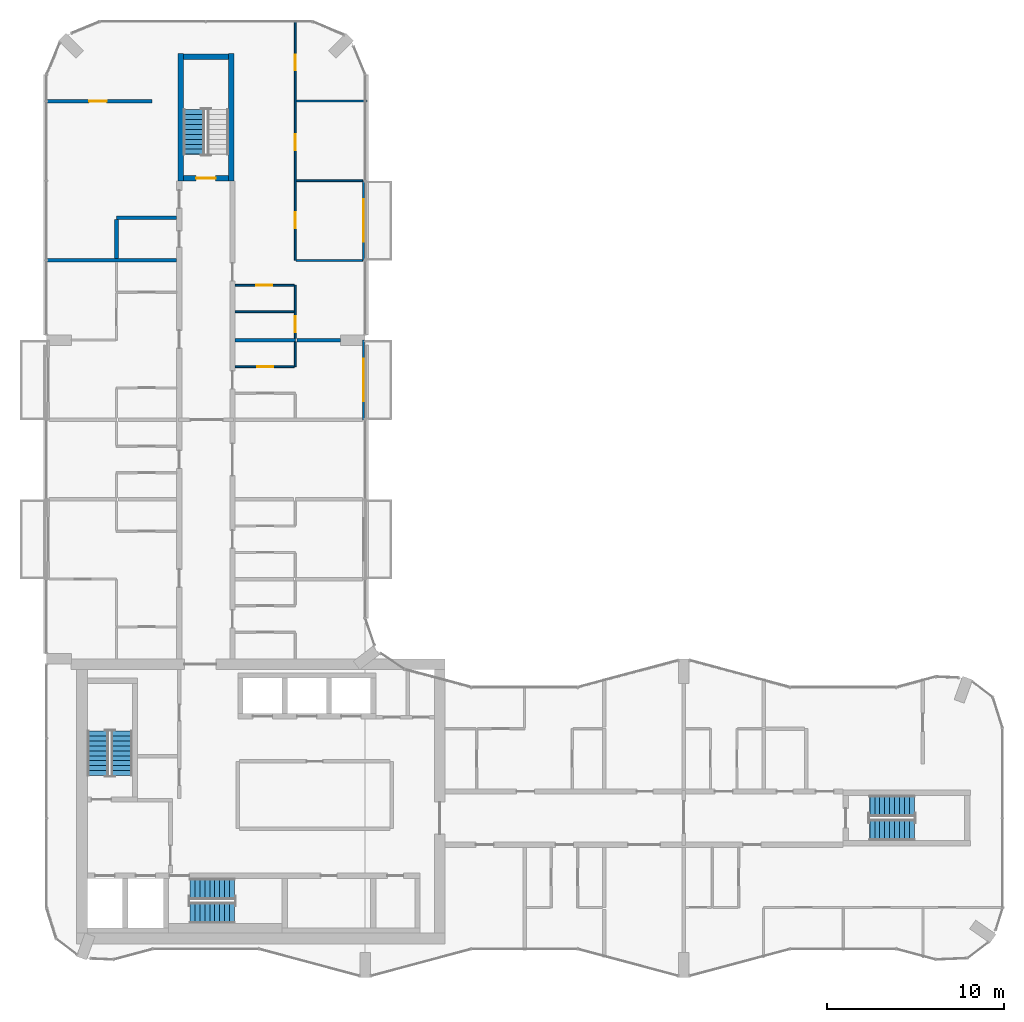
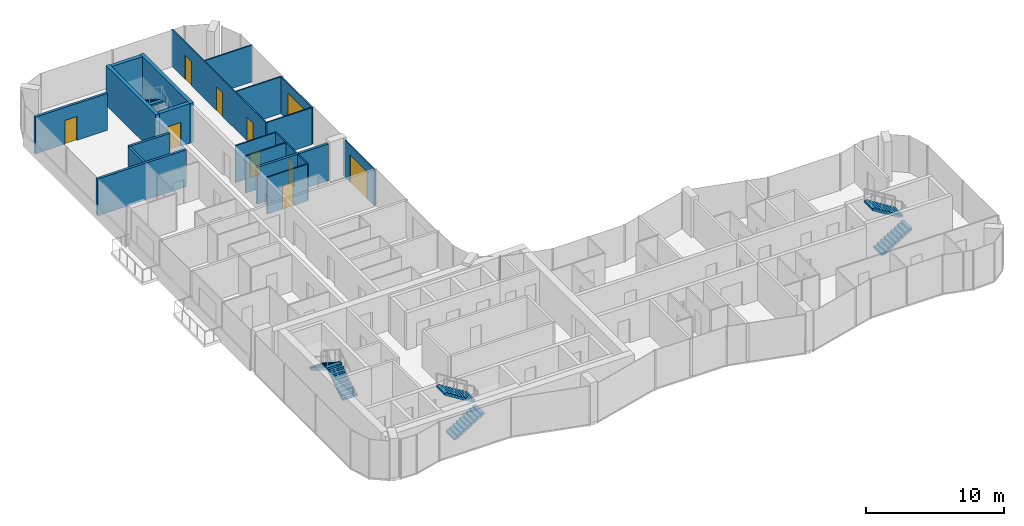
# One storey, part 13 of 17: 21 walls, 10 doors, 7 stair flights, 10 openings, 4 elements without a shape of their own.
"""IFC4 building model written with IfcOpenShell, lengths in metres."""

from ifc_helpers import new_model, si_unit, direction, frame, frame_2d, origin, place, context, subcontext, project, spatial, polyline, rectangle, outline, extrude, material, layer, layer_set, type_object, element, fill, aggregate, save


model = new_model("IFC4")

# Units and contexts
model_context = context("Model", 3, precision=1e-05, world=origin(), true_north=direction((0.0, 1.0)))
body_context = subcontext(model_context, "Body", "Model", "MODEL_VIEW")
ifc_project = project(units=[si_unit("LENGTHUNIT", "METRE"), si_unit("AREAUNIT", "SQUARE_METRE"), si_unit("VOLUMEUNIT", "CUBIC_METRE"), si_unit("PLANEANGLEUNIT", "RADIAN"), si_unit("MASSUNIT", "GRAM", prefix="KILO")], contexts=[model_context])

# Site, building, storey
site_placement = place(None, origin())
site = spatial("IfcSite", under=ifc_project, at=site_placement, CompositionType="ELEMENT")
building_placement = place(site_placement, origin())
building = spatial("IfcBuilding", under=site, at=building_placement, Name="Plateau Cross Towers", CompositionType="ELEMENT")
storey_placement = place(building_placement, frame((0.0, 0.0, 142.89990234375)))
storey = spatial("IfcBuildingStorey", under=building, at=storey_placement, Name="L36", CompositionType="ELEMENT", Elevation=142.89990234375)

# Wall, opening, door
ifc_material_1 = material(Name="Aluminium framed glazing", Category="aluminium")
ifc_layer_1 = layer(ifc_material_1, 0.10009765625)
ifc_layer_set_1 = layer_set([ifc_layer_1], Name="Aluminium framed glazing")
wall_type_1 = type_object("IfcWallType", Name="Balcony screen wall 100", PredefinedType="STANDARD", material=ifc_layer_set_1)
wall_1_placement = place(storey_placement, frame((17.89990234375, 36.0, 0.0), z_axis=(0.0, 0.0, 1.0), x_axis=(0.0, -1.0, 0.0)))
wall_1 = element("IfcWall", 1, at=wall_1_placement, inside=storey, type_object=wall_type_1, Name="Balcony screen wall A-BAL-L36-04", PredefinedType="STANDARD", context=body_context, shape_type="SweptSolid", body=[
    extrude(rectangle(XDim=4.5, YDim=0.10009765625, at=frame_2d((2.25, 0.0))), origin(), (0.0, 0.0, 1.0), 3.25),
])
opening_1_placement = place(wall_1_placement, frame((1.050048828125, 0.0, 0.0)))
opening_1 = element("IfcOpeningElement", 2, at=opening_1_placement, cuts=wall_1, Name="Opening D-B24", PredefinedType="OPENING", context=body_context, shape_type="SweptSolid", body=[
    extrude(rectangle(XDim=2.39990234375, YDim=2.39990234375, at=frame_2d((1.199951171875, 1.199951171875))), frame((0.0, 0.06005859375, 0.0), z_axis=(0.0, -1.0, 0.0), x_axis=(1.0, 0.0, 0.0)), (0.0, 0.0, 1.0), 0.1201171875),
])
ifc_material_2 = material(Name="Aluminium frame, double glazing", Category="aluminium")
door_type_1 = type_object("IfcDoorType", Name="Balcony sliding door 2400", OperationType="NOTDEFINED", PredefinedType="DOOR", material=ifc_material_2)
door_1_placement = place(opening_1_placement, origin())
door_1 = element("IfcDoor", 3, at=door_1_placement, inside=storey, type_object=door_type_1, Name="Balcony door A-BAL-L36-04", OperationType="SINGLE_SWING_LEFT", OverallHeight=2.39990234375, OverallWidth=2.39990234375, PredefinedType="DOOR", context=body_context, shape_type="SweptSolid", body=[
    extrude(rectangle(XDim=2.39990234375, YDim=2.39990234375, at=frame_2d((1.199951171875, 1.199951171875))), frame((0.0, 0.02490234375, 0.0), z_axis=(0.0, -1.0, 0.0), x_axis=(1.0, 0.0, 0.0)), (0.0, 0.0, 1.0), 0.050048828125),
])
fill(opening_1, door_1)

wall_2_placement = place(storey_placement, frame((17.89990234375, 45.0, 0.0), z_axis=(0.0, 0.0, 1.0), x_axis=(0.0, -1.0, 0.0)))
wall_2 = element("IfcWall", 4, at=wall_2_placement, inside=storey, type_object=wall_type_1, Name="Balcony screen wall A-BAL-L36-05", PredefinedType="STANDARD", context=body_context, shape_type="SweptSolid", body=[
    extrude(rectangle(XDim=4.5, YDim=0.10009765625, at=frame_2d((2.25, 0.0))), origin(), (0.0, 0.0, 1.0), 3.25),
])
opening_2_placement = place(wall_2_placement, frame((1.050048828125, 0.0, 0.0)))
opening_2 = element("IfcOpeningElement", 5, at=opening_2_placement, cuts=wall_2, Name="Opening D-B24", PredefinedType="OPENING", context=body_context, shape_type="SweptSolid", body=[
    extrude(rectangle(XDim=2.39990234375, YDim=2.39990234375, at=frame_2d((1.199951171875, 1.199951171875))), frame((0.0, 0.06005859375, 0.0), z_axis=(0.0, -1.0, 0.0), x_axis=(1.0, 0.0, 0.0)), (0.0, 0.0, 1.0), 0.1201171875),
])
door_2_placement = place(opening_2_placement, origin())
door_2 = element("IfcDoor", 6, at=door_2_placement, inside=storey, type_object=door_type_1, Name="Balcony door A-BAL-L36-05", OperationType="SINGLE_SWING_LEFT", OverallHeight=2.39990234375, OverallWidth=2.39990234375, PredefinedType="DOOR", context=body_context, shape_type="SweptSolid", body=[
    extrude(rectangle(XDim=2.39990234375, YDim=2.39990234375, at=frame_2d((1.199951171875, 1.199951171875))), frame((0.0, 0.02490234375, 0.0), z_axis=(0.0, -1.0, 0.0), x_axis=(1.0, 0.0, 0.0)), (0.0, 0.0, 1.0), 0.050048828125),
])
fill(opening_2, door_2)

ifc_material_3 = material(Name="Gypsum board on steel studs", Category="steel")
ifc_layer_2 = layer(ifc_material_3, 0.10009765625)
ifc_layer_set_2 = layer_set([ifc_layer_2], Name="Gypsum board on steel studs")
wall_type_2 = type_object("IfcWallType", Name="Flat partition 100", PredefinedType="PARTITIONING", material=ifc_layer_set_2)
wall_3_placement = place(storey_placement, frame((10.64990234375, 34.5, 0.0), z_axis=(0.0, 0.0, 1.0), x_axis=(1.0, 0.0, 0.0)))
wall_3 = element("IfcWall", 7, at=wall_3_placement, inside=storey, type_object=wall_type_2, Name="Partition wall", PredefinedType="PARTITIONING", context=body_context, shape_type="SweptSolid", body=[
    extrude(rectangle(XDim=3.35009765625, YDim=0.10009765625, at=frame_2d((1.675048828125, 0.0))), origin(), (0.0, 0.0, 1.0), 3.25),
])
opening_3_placement = place(wall_3_placement, frame((1.25, 0.0, 0.0)))
opening_3 = element("IfcOpeningElement", 8, at=opening_3_placement, cuts=wall_3, Name="Opening 36-49", PredefinedType="OPENING", context=body_context, shape_type="SweptSolid", body=[
    extrude(rectangle(XDim=0.89990234375, YDim=2.10009765625, at=frame_2d((0.449951171875, 1.050048828125))), frame((0.0, 0.06005859375, 0.0), z_axis=(0.0, -1.0, 0.0), x_axis=(1.0, 0.0, 0.0)), (0.0, 0.0, 1.0), 0.1201171875),
])
ifc_material_4 = material(Name="Timber leaf", Category="wood")
door_type_2 = type_object("IfcDoorType", Name="Flat room door 900", OperationType="NOTDEFINED", PredefinedType="DOOR", material=ifc_material_4)
door_3_placement = place(opening_3_placement, origin())
door_3 = element("IfcDoor", 9, at=door_3_placement, inside=storey, type_object=door_type_2, Name="Door 36-49", OperationType="SINGLE_SWING_RIGHT", OverallHeight=2.10009765625, OverallWidth=0.89990234375, PredefinedType="DOOR", context=body_context, shape_type="SweptSolid", body=[
    extrude(rectangle(XDim=0.89990234375, YDim=2.10009765625, at=frame_2d((0.449951171875, 1.050048828125))), frame((0.0, 0.02490234375, 0.0), z_axis=(0.0, -1.0, 0.0), x_axis=(1.0, 0.0, 0.0)), (0.0, 0.0, 1.0), 0.050048828125),
])
fill(opening_3, door_3)

# Wall
wall_4_placement = place(storey_placement, frame((14.0, 37.60009765625, 0.0), z_axis=(0.0, 0.0, 1.0), x_axis=(-1.0, 0.0, 0.0)))
element("IfcWall", 10, at=wall_4_placement, inside=storey, type_object=wall_type_2, Name="Partition wall", PredefinedType="PARTITIONING", context=body_context, shape_type="SweptSolid", body=[
    extrude(rectangle(XDim=3.35009765625, YDim=0.10009765625, at=frame_2d((1.675048828125, 0.0))), origin(), (0.0, 0.0, 1.0), 3.25),
])

# Wall, opening, door
wall_5_placement = place(storey_placement, frame((14.0, 39.10009765625, 0.0), z_axis=(0.0, 0.0, 1.0), x_axis=(-1.0, 0.0, 0.0)))
wall_5 = element("IfcWall", 11, at=wall_5_placement, inside=storey, type_object=wall_type_2, Name="Partition wall", PredefinedType="PARTITIONING", context=body_context, shape_type="SweptSolid", body=[
    extrude(rectangle(XDim=3.35009765625, YDim=0.10009765625, at=frame_2d((1.675048828125, 0.0))), origin(), (0.0, 0.0, 1.0), 3.25),
])
opening_4_placement = place(wall_5_placement, frame((1.25, 0.0, 0.0)))
opening_4 = element("IfcOpeningElement", 12, at=opening_4_placement, cuts=wall_5, Name="Opening 36-51", PredefinedType="OPENING", context=body_context, shape_type="SweptSolid", body=[
    extrude(rectangle(XDim=0.89990234375, YDim=2.10009765625, at=frame_2d((0.449951171875, 1.050048828125))), frame((0.0, 0.06005859375, 0.0), z_axis=(0.0, -1.0, 0.0), x_axis=(1.0, 0.0, 0.0)), (0.0, 0.0, 1.0), 0.1201171875),
])
door_4_placement = place(opening_4_placement, origin())
door_4 = element("IfcDoor", 13, at=door_4_placement, inside=storey, type_object=door_type_2, Name="Door 36-51", OperationType="SINGLE_SWING_RIGHT", OverallHeight=2.10009765625, OverallWidth=0.89990234375, PredefinedType="DOOR", context=body_context, shape_type="SweptSolid", body=[
    extrude(rectangle(XDim=0.89990234375, YDim=2.10009765625, at=frame_2d((0.449951171875, 1.050048828125))), frame((0.0, 0.02490234375, 0.0), z_axis=(0.0, -1.0, 0.0), x_axis=(1.0, 0.0, 0.0)), (0.0, 0.0, 1.0), 0.050048828125),
])
fill(opening_4, door_4)

# Walls
for number, where, z_axis, x_axis, name in (
    (14, (14.10009765625, 40.5, 0.0), (0.0, 0.0, 1.0), (1.0, 0.0, 0.0), "Partition wall"),
    (15, (17.85009765625, 45.0, 0.0), (0.0, 0.0, 1.0), (-1.0, 0.0, 0.0), "Partition wall"),
):
    element("IfcWall", number, at=place(storey_placement, frame(where, z_axis=z_axis, x_axis=x_axis)), inside=storey, type_object=wall_type_2, Name=name, PredefinedType="PARTITIONING", context=body_context, shape_type="SweptSolid", body=[
        extrude(rectangle(XDim=3.75, YDim=0.10009765625, at=frame_2d((1.875, 0.0))), origin(), (0.0, 0.0, 1.0), 3.25),
    ])
wall_6_placement = place(storey_placement, frame((18.080078125, 49.5, 0.0), z_axis=(0.0, 0.0, 1.0), x_axis=(-1.0, 0.0, 0.0)))
element("IfcWall", 16, at=wall_6_placement, inside=storey, type_object=wall_type_2, Name="Partition wall", PredefinedType="PARTITIONING", context=body_context, shape_type="SweptSolid", body=[
    extrude(rectangle(XDim=3.97998046875, YDim=0.10009765625, at=frame_2d((1.989990234375, 0.0))), origin(), (0.0, 0.0, 1.0), 3.25),
])

# Wall, openings, doors
wall_7_placement = place(storey_placement, frame((14.050048828125, 54.080078125, 0.0), z_axis=(0.0, 0.0, 1.0), x_axis=(0.0, -1.0, 0.0)))
wall_7 = element("IfcWall", 17, at=wall_7_placement, inside=storey, type_object=wall_type_2, Name="Partition wall", PredefinedType="PARTITIONING", context=body_context, shape_type="SweptSolid", body=[
    extrude(rectangle(XDim=13.580078125, YDim=0.10009765625, at=frame_2d((6.7900390625, 0.0))), origin(), (0.0, 0.0, 1.0), 3.25),
])
opening_5_placement = place(wall_7_placement, frame((10.85009765625, 0.0, 0.0)))
opening_5 = element("IfcOpeningElement", 18, at=opening_5_placement, cuts=wall_7, Name="Opening 36-52", PredefinedType="OPENING", context=body_context, shape_type="SweptSolid", body=[
    extrude(rectangle(XDim=0.89990234375, YDim=2.10009765625, at=frame_2d((0.449951171875, 1.050048828125))), frame((0.0, 0.06005859375, 0.0), z_axis=(0.0, -1.0, 0.0), x_axis=(1.0, 0.0, 0.0)), (0.0, 0.0, 1.0), 0.1201171875),
])
opening_6_placement = place(wall_7_placement, frame((6.449951171875, 0.0, 0.0)))
opening_6 = element("IfcOpeningElement", 19, at=opening_6_placement, cuts=wall_7, Name="Opening 36-53", PredefinedType="OPENING", context=body_context, shape_type="SweptSolid", body=[
    extrude(rectangle(XDim=0.89990234375, YDim=2.10009765625, at=frame_2d((0.449951171875, 1.050048828125))), frame((0.0, 0.06005859375, 0.0), z_axis=(0.0, -1.0, 0.0), x_axis=(1.0, 0.0, 0.0)), (0.0, 0.0, 1.0), 0.1201171875),
])
opening_7_placement = place(wall_7_placement, frame((1.949951171875, 0.0, 0.0)))
opening_7 = element("IfcOpeningElement", 20, at=opening_7_placement, cuts=wall_7, Name="Opening 36-54", PredefinedType="OPENING", context=body_context, shape_type="SweptSolid", body=[
    extrude(rectangle(XDim=0.89990234375, YDim=2.10009765625, at=frame_2d((0.449951171875, 1.050048828125))), frame((0.0, 0.06005859375, 0.0), z_axis=(0.0, -1.0, 0.0), x_axis=(1.0, 0.0, 0.0)), (0.0, 0.0, 1.0), 0.1201171875),
])
door_5_placement = place(opening_5_placement, origin())
door_5 = element("IfcDoor", 21, at=door_5_placement, inside=storey, type_object=door_type_2, Name="Door 36-52", OperationType="SINGLE_SWING_RIGHT", OverallHeight=2.10009765625, OverallWidth=0.89990234375, PredefinedType="DOOR", context=body_context, shape_type="SweptSolid", body=[
    extrude(rectangle(XDim=0.89990234375, YDim=2.10009765625, at=frame_2d((0.449951171875, 1.050048828125))), frame((0.0, 0.02490234375, 0.0), z_axis=(0.0, -1.0, 0.0), x_axis=(1.0, 0.0, 0.0)), (0.0, 0.0, 1.0), 0.050048828125),
])
fill(opening_5, door_5)
door_6_placement = place(opening_6_placement, origin())
door_6 = element("IfcDoor", 22, at=door_6_placement, inside=storey, type_object=door_type_2, Name="Door 36-53", OperationType="SINGLE_SWING_RIGHT", OverallHeight=2.10009765625, OverallWidth=0.89990234375, PredefinedType="DOOR", context=body_context, shape_type="SweptSolid", body=[
    extrude(rectangle(XDim=0.89990234375, YDim=2.10009765625, at=frame_2d((0.449951171875, 1.050048828125))), frame((0.0, 0.02490234375, 0.0), z_axis=(0.0, -1.0, 0.0), x_axis=(1.0, 0.0, 0.0)), (0.0, 0.0, 1.0), 0.050048828125),
])
fill(opening_6, door_6)
door_7_placement = place(opening_7_placement, origin())
door_7 = element("IfcDoor", 23, at=door_7_placement, inside=storey, type_object=door_type_2, Name="Door 36-54", OperationType="SINGLE_SWING_LEFT", OverallHeight=2.10009765625, OverallWidth=0.89990234375, PredefinedType="DOOR", context=body_context, shape_type="SweptSolid", body=[
    extrude(rectangle(XDim=0.89990234375, YDim=2.10009765625, at=frame_2d((0.449951171875, 1.050048828125))), frame((0.0, 0.02490234375, 0.0), z_axis=(0.0, -1.0, 0.0), x_axis=(1.0, 0.0, 0.0)), (0.0, 0.0, 1.0), 0.050048828125),
])
fill(opening_7, door_7)

# Wall
wall_8_placement = place(storey_placement, frame((14.050048828125, 34.5, 0.0), z_axis=(0.0, 0.0, 1.0), x_axis=(0.0, 1.0, 0.0)))
element("IfcWall", 24, at=wall_8_placement, inside=storey, type_object=wall_type_2, Name="Partition wall", PredefinedType="PARTITIONING", context=body_context, shape_type="SweptSolid", body=[
    extrude(rectangle(XDim=1.39990234375, YDim=0.10009765625, at=frame_2d((0.699951171875, 0.0))), origin(), (0.0, 0.0, 1.0), 3.25),
])

# Wall, opening, door
wall_9_placement = place(storey_placement, frame((14.050048828125, 36.10009765625, 0.0), z_axis=(0.0, 0.0, 1.0), x_axis=(0.0, 1.0, 0.0)))
wall_9 = element("IfcWall", 25, at=wall_9_placement, inside=storey, type_object=wall_type_2, Name="Partition wall", PredefinedType="PARTITIONING", context=body_context, shape_type="SweptSolid", body=[
    extrude(rectangle(XDim=3.0, YDim=0.10009765625, at=frame_2d((1.5, 0.0))), origin(), (0.0, 0.0, 1.0), 3.25),
])
opening_8_placement = place(wall_9_placement, frame((0.35009765625, 0.0, 0.0)))
opening_8 = element("IfcOpeningElement", 26, at=opening_8_placement, cuts=wall_9, Name="Opening 36-50", PredefinedType="OPENING", context=body_context, shape_type="SweptSolid", body=[
    extrude(rectangle(XDim=0.89990234375, YDim=2.10009765625, at=frame_2d((0.449951171875, 1.050048828125))), frame((0.0, 0.06005859375, 0.0), z_axis=(0.0, -1.0, 0.0), x_axis=(1.0, 0.0, 0.0)), (0.0, 0.0, 1.0), 0.1201171875),
])
door_8_placement = place(opening_8_placement, origin())
door_8 = element("IfcDoor", 27, at=door_8_placement, inside=storey, type_object=door_type_2, Name="Door 36-50", OperationType="SINGLE_SWING_LEFT", OverallHeight=2.10009765625, OverallWidth=0.89990234375, PredefinedType="DOOR", context=body_context, shape_type="SweptSolid", body=[
    extrude(rectangle(XDim=0.89990234375, YDim=2.10009765625, at=frame_2d((0.449951171875, 1.050048828125))), frame((0.0, 0.02490234375, 0.0), z_axis=(0.0, -1.0, 0.0), x_axis=(1.0, 0.0, 0.0)), (0.0, 0.0, 1.0), 0.050048828125),
])
fill(opening_8, door_8)

# Walls
ifc_material_5 = material(Name="Gypsum board on steel studs, two layers each side", Category="steel")
ifc_layer_3 = layer(ifc_material_5, 0.199951171875)
ifc_layer_set_3 = layer_set([ifc_layer_3], Name="Gypsum board on steel studs, two layers each side")
wall_type_3 = type_object("IfcWallType", Name="Flat party wall 200", PredefinedType="PARTITIONING", material=ifc_layer_set_3)
wall_10_placement = place(storey_placement, frame((14.050048828125, 36.0, 0.0), z_axis=(0.0, 0.0, 1.0), x_axis=(-1.0, 0.0, 0.0)))
element("IfcWall", 28, at=wall_10_placement, inside=storey, type_object=wall_type_3, Name="Party wall", PredefinedType="PARTITIONING", context=body_context, shape_type="SweptSolid", body=[
    extrude(rectangle(XDim=3.400146484375, YDim=0.199951171875, at=frame_2d((1.7001953125, 0.0))), origin(), (0.0, 0.0, 1.0), 3.25),
])
wall_11_placement = place(storey_placement, frame((14.14990234375, 36.0, 0.0), z_axis=(0.0, 0.0, 1.0), x_axis=(1.0, 0.0, 0.0)))
element("IfcWall", 29, at=wall_11_placement, inside=storey, type_object=wall_type_3, Name="Party wall", PredefinedType="PARTITIONING", context=body_context, shape_type="SweptSolid", body=[
    extrude(rectangle(XDim=2.4501953125, YDim=0.199951171875, at=frame_2d((1.22509765625, 0.0))), origin(), (0.0, 0.0, 1.0), 3.25),
])
wall_12_placement = place(storey_placement, frame((7.35009765625, 40.5, 0.0), z_axis=(0.0, 0.0, 1.0), x_axis=(-1.0, 0.0, 0.0)))
element("IfcWall", 30, at=wall_12_placement, inside=storey, type_object=wall_type_3, Name="Party wall", PredefinedType="PARTITIONING", context=body_context, shape_type="SweptSolid", body=[
    extrude(rectangle(XDim=7.43017578125, YDim=0.199951171875, at=frame_2d((3.715087890625, 0.0))), origin(), (0.0, 0.0, 1.0), 3.25),
])
wall_13_placement = place(storey_placement, frame((7.35009765625, 42.89990234375, 0.0), z_axis=(0.0, 0.0, 1.0), x_axis=(-1.0, 0.0, 0.0)))
element("IfcWall", 31, at=wall_13_placement, inside=storey, type_object=wall_type_3, Name="Party wall", PredefinedType="PARTITIONING", context=body_context, shape_type="SweptSolid", body=[
    extrude(rectangle(XDim=3.400146484375, YDim=0.199951171875, at=frame_2d((1.7001953125, 0.0))), origin(), (0.0, 0.0, 1.0), 3.25),
])

# Wall, opening, door
wall_14_placement = place(storey_placement, frame((5.949951171875, 49.5, 0.0), z_axis=(0.0, 0.0, 1.0), x_axis=(-1.0, 0.0, 0.0)))
wall_14 = element("IfcWall", 32, at=wall_14_placement, inside=storey, type_object=wall_type_3, Name="Party wall", PredefinedType="PARTITIONING", context=body_context, shape_type="SweptSolid", body=[
    extrude(rectangle(XDim=6.030029296875, YDim=0.199951171875, at=frame_2d((3.01513671875, 0.0))), origin(), (0.0, 0.0, 1.0), 3.25),
])
opening_9_placement = place(wall_14_placement, frame((2.550048828125, 0.0, 0.0)))
opening_9 = element("IfcOpeningElement", 33, at=opening_9_placement, cuts=wall_14, Name="Opening 36-23", PredefinedType="OPENING", context=body_context, shape_type="SweptSolid", body=[
    extrude(rectangle(XDim=1.0, YDim=2.10009765625, at=frame_2d((0.5, 1.050048828125))), frame((0.0, 0.10986328125, 0.0), z_axis=(0.0, -1.0, 0.0), x_axis=(1.0, 0.0, 0.0)), (0.0, 0.0, 1.0), 0.219970703125),
])
ifc_material_6 = material(Name="Timber, fire-resisting leaf", Category="wood")
door_type_3 = type_object("IfcDoorType", Name="Flat entrance door 1000", OperationType="NOTDEFINED", PredefinedType="DOOR", material=ifc_material_6)
door_9_placement = place(opening_9_placement, origin())
door_9 = element("IfcDoor", 34, at=door_9_placement, inside=storey, type_object=door_type_3, Name="Door 36-23", OperationType="SINGLE_SWING_RIGHT", OverallHeight=2.10009765625, OverallWidth=1.0, PredefinedType="DOOR", context=body_context, shape_type="SweptSolid", body=[
    extrude(rectangle(XDim=1.0, YDim=2.10009765625, at=frame_2d((0.5, 1.050048828125))), frame((0.0, 0.02490234375, 0.0), z_axis=(0.0, -1.0, 0.0), x_axis=(1.0, 0.0, 0.0)), (0.0, 0.0, 1.0), 0.050048828125),
])
fill(opening_9, door_9)

# Wall
wall_15_placement = place(storey_placement, frame((3.949951171875, 42.800048828125, 0.0), z_axis=(0.0, 0.0, 1.0), x_axis=(0.0, -1.0, 0.0)))
element("IfcWall", 35, at=wall_15_placement, inside=storey, type_object=wall_type_3, Name="Party wall", PredefinedType="PARTITIONING", context=body_context, shape_type="SweptSolid", body=[
    extrude(rectangle(XDim=2.199951171875, YDim=0.199951171875, at=frame_2d((1.10009765625, 0.0))), origin(), (0.0, 0.0, 1.0), 3.25),
])

# Wall, opening, door
ifc_material_7 = material(Name="Concrete C60/75", Category="concrete")
ifc_layer_4 = layer(ifc_material_7, 0.300048828125)
ifc_layer_set_4 = layer_set([ifc_layer_4], Name="Concrete C60/75")
wall_type_4 = type_object("IfcWallType", Name="Stair tower wall 300", PredefinedType="SHEAR", material=ifc_layer_set_4)
wall_16_placement = place(storey_placement, frame((7.72509765625, 45.14990234375, 0.0), z_axis=(0.0, 0.0, 1.0), x_axis=(1.0, 0.0, 0.0)))
wall_16 = element("IfcWall", 36, at=wall_16_placement, inside=storey, type_object=wall_type_4, Name="A-end-N-S@L36", PredefinedType="SHEAR", context=body_context, shape_type="SweptSolid", body=[
    extrude(rectangle(XDim=2.5498046875, YDim=0.300048828125, at=frame_2d((1.27490234375, 0.0))), origin(), (0.0, 0.0, 1.0), 3.5),
])
opening_10_placement = place(wall_16_placement, frame((0.72509765625, 0.0, 0.0)))
opening_10 = element("IfcOpeningElement", 37, at=opening_10_placement, cuts=wall_16, Name="Opening SD", PredefinedType="OPENING", context=body_context, shape_type="SweptSolid", body=[
    extrude(rectangle(XDim=1.10009765625, YDim=2.10009765625, at=frame_2d((0.550048828125, 1.050048828125))), frame((0.0, 0.159912109375, 0.0), z_axis=(0.0, -1.0, 0.0), x_axis=(1.0, 0.0, 0.0)), (0.0, 0.0, 1.0), 0.320068359375),
])
ifc_material_8 = material(Name="Steel, fire-resisting leaf", Category="steel")
door_type_4 = type_object("IfcDoorType", Name="Stair door 1100", OperationType="NOTDEFINED", PredefinedType="DOOR", material=ifc_material_8)
door_10_placement = place(opening_10_placement, origin())
door_10 = element("IfcDoor", 38, at=door_10_placement, inside=storey, type_object=door_type_4, Name="Stair door SD", OperationType="SINGLE_SWING_LEFT", OverallHeight=2.10009765625, OverallWidth=1.10009765625, PredefinedType="DOOR", context=body_context, shape_type="SweptSolid", body=[
    extrude(rectangle(XDim=1.10009765625, YDim=2.10009765625, at=frame_2d((0.550048828125, 1.050048828125))), frame((0.0, 0.02490234375, 0.0), z_axis=(0.0, -1.0, 0.0), x_axis=(1.0, 0.0, 0.0)), (0.0, 0.0, 1.0), 0.050048828125),
])
fill(opening_10, door_10)

# Walls
wall_17_placement = place(storey_placement, frame((7.72509765625, 52.0, 0.0), z_axis=(0.0, 0.0, 1.0), x_axis=(1.0, 0.0, 0.0)))
element("IfcWall", 39, at=wall_17_placement, inside=storey, type_object=wall_type_4, Name="A-end-N-N@L36", PredefinedType="SHEAR", context=body_context, shape_type="SweptSolid", body=[
    extrude(rectangle(XDim=2.5498046875, YDim=0.300048828125, at=frame_2d((1.27490234375, 0.0))), origin(), (0.0, 0.0, 1.0), 3.5),
])
for number, where, z_axis, x_axis, name in (
    (40, (7.574951171875, 45.0, 0.0), (0.0, 0.0, 1.0), (0.0, 1.0, 0.0), "A-end-N-W@L36"),
    (41, (10.425048828125, 45.0, 0.0), (0.0, 0.0, 1.0), (0.0, 1.0, 0.0), "A-end-N-E@L36"),
):
    element("IfcWall", number, at=place(storey_placement, frame(where, z_axis=z_axis, x_axis=x_axis)), inside=storey, type_object=wall_type_4, Name=name, PredefinedType="SHEAR", context=body_context, shape_type="SweptSolid", body=[
        extrude(rectangle(XDim=7.199951171875, YDim=0.300048828125, at=frame_2d((3.60009765625, 0.0))), origin(), (0.0, 0.0, 1.0), 3.5),
    ])

# Stair, stair flights
ifc_material_9 = material(Name="Concrete C40/50", Category="concrete")
stair_type = type_object("IfcStairType", Name="ST-TWR", PredefinedType="HALF_TURN_STAIR", material=ifc_material_9)
stair_1_placement = place(storey_placement, origin())
stair_1 = element("IfcStair", 42, at=stair_1_placement, inside=storey, type_object=stair_type, Name="L36 Protected Exit Stair ST-1", PredefinedType="HALF_TURN_STAIR")
stair_flight_type = type_object("IfcStairFlightType", Name="SFL-RC", PredefinedType="STRAIGHT", material=ifc_material_9)
stair_flight_1_placement = place(storey_placement, frame((4.25, 11.39990234375, 0.0), z_axis=(0.0, 0.0, 1.0), x_axis=(0.0, 1.0, 0.0)))
stair_flight_1 = element("IfcStairFlight", 43, at=stair_flight_1_placement, type_object=stair_flight_type, Name="ST-1 flight 1", NumberOfRisers=10, NumberOfTreads=9, PredefinedType="STRAIGHT", RiserHeight=0.175, TreadLength=0.28, context=body_context, shape_type="SweptSolid", body=[
    extrude(outline(polyline([(-0.0048828125, -0.010009765625), (-0.0048828125, 0.0), (0.0, 0.0), (0.0, 0.175048828125), (0.280029296875, 0.175048828125), (0.280029296875, 0.35009765625), (0.56005859375, 0.35009765625), (0.56005859375, 0.52490234375), (0.840087890625, 0.52490234375), (0.840087890625, 0.699951171875), (1.1201171875, 0.699951171875), (1.1201171875, 0.875), (1.39990234375, 0.875), (1.39990234375, 1.050048828125), (1.679931640625, 1.050048828125), (1.679931640625, 1.22509765625), (1.9599609375, 1.22509765625), (1.9599609375, 1.39990234375), (2.239990234375, 1.39990234375), (2.239990234375, 1.574951171875), (2.52001953125, 1.574951171875), (2.52490234375, 1.56494140625), (2.52490234375, 1.398193359375), (2.52001953125, 1.398193359375), (0.28271484375, 0.0), (0.02001953125, 0.0), (0.02001953125, -0.010009765625), (-0.0048828125, -0.010009765625)])), frame((0.0, 0.60009765625, 0.0), z_axis=(0.0, -1.0, 0.0), x_axis=(1.0, 0.0, 0.0)), (0.0, 0.0, 1.0), 1.199951171875),
])
stair_flight_2_placement = place(storey_placement, frame((2.89990234375, 13.919921875, 1.75), z_axis=(0.0, 0.0, 1.0), x_axis=(0.0, -1.0, 0.0)))
stair_flight_2 = element("IfcStairFlight", 44, at=stair_flight_2_placement, type_object=stair_flight_type, Name="ST-1 flight 2", NumberOfRisers=10, NumberOfTreads=9, PredefinedType="STRAIGHT", RiserHeight=0.175, TreadLength=0.28, context=body_context, shape_type="SweptSolid", body=[
    extrude(outline(polyline([(-0.0048828125, -0.010009765625), (-0.0048828125, 0.0), (0.0, 0.0), (0.0, 0.175048828125), (0.280029296875, 0.175048828125), (0.280029296875, 0.35009765625), (0.56005859375, 0.35009765625), (0.56005859375, 0.52490234375), (0.840087890625, 0.52490234375), (0.840087890625, 0.699951171875), (1.1201171875, 0.699951171875), (1.1201171875, 0.875), (1.39990234375, 0.875), (1.39990234375, 1.050048828125), (1.679931640625, 1.050048828125), (1.679931640625, 1.22509765625), (1.9599609375, 1.22509765625), (1.9599609375, 1.39990234375), (2.239990234375, 1.39990234375), (2.239990234375, 1.574951171875), (2.52001953125, 1.574951171875), (2.52490234375, 1.56494140625), (2.52490234375, 1.398193359375), (2.52001953125, 1.398193359375), (0.28271484375, 0.0), (0.02001953125, 0.0), (0.02001953125, -0.010009765625), (-0.0048828125, -0.010009765625)])), frame((0.0, 0.60009765625, 0.0), z_axis=(0.0, -1.0, 0.0), x_axis=(1.0, 0.0, 0.0)), (0.0, 0.0, 1.0), 1.199951171875),
])
aggregate(stair_1, [stair_flight_1, stair_flight_2])

stair_2_placement = place(storey_placement, origin())
stair_2 = element("IfcStair", 45, at=stair_2_placement, inside=storey, type_object=stair_type, Name="L36 Protected Exit Stair ST-2", PredefinedType="HALF_TURN_STAIR")
stair_flight_3_placement = place(storey_placement, frame((8.10009765625, 3.64990234375, 0.0), z_axis=(0.0, 0.0, 1.0), x_axis=(1.0, 0.0, 0.0)))
stair_flight_3 = element("IfcStairFlight", 46, at=stair_flight_3_placement, type_object=stair_flight_type, Name="ST-2 flight 1", NumberOfRisers=10, NumberOfTreads=9, PredefinedType="STRAIGHT", RiserHeight=0.175, TreadLength=0.28, context=body_context, shape_type="SweptSolid", body=[
    extrude(outline(polyline([(-0.0048828125, -0.010009765625), (-0.0048828125, 0.0), (0.0, 0.0), (0.0, 0.175048828125), (0.280029296875, 0.175048828125), (0.280029296875, 0.35009765625), (0.56005859375, 0.35009765625), (0.56005859375, 0.52490234375), (0.840087890625, 0.52490234375), (0.840087890625, 0.699951171875), (1.1201171875, 0.699951171875), (1.1201171875, 0.875), (1.39990234375, 0.875), (1.39990234375, 1.050048828125), (1.679931640625, 1.050048828125), (1.679931640625, 1.22509765625), (1.9599609375, 1.22509765625), (1.9599609375, 1.39990234375), (2.239990234375, 1.39990234375), (2.239990234375, 1.574951171875), (2.52001953125, 1.574951171875), (2.52490234375, 1.56494140625), (2.52490234375, 1.398193359375), (2.52001953125, 1.398193359375), (0.28271484375, 0.0), (0.02001953125, 0.0), (0.02001953125, -0.010009765625), (-0.0048828125, -0.010009765625)])), frame((0.0, 0.60009765625, 0.0), z_axis=(0.0, -1.0, 0.0), x_axis=(1.0, 0.0, 0.0)), (0.0, 0.0, 1.0), 1.199951171875),
])
stair_flight_4_placement = place(storey_placement, frame((10.6201171875, 5.0, 1.75), z_axis=(0.0, 0.0, 1.0), x_axis=(-1.0, 0.0, 0.0)))
stair_flight_4 = element("IfcStairFlight", 47, at=stair_flight_4_placement, type_object=stair_flight_type, Name="ST-2 flight 2", NumberOfRisers=10, NumberOfTreads=9, PredefinedType="STRAIGHT", RiserHeight=0.175, TreadLength=0.28, context=body_context, shape_type="SweptSolid", body=[
    extrude(outline(polyline([(-0.0048828125, -0.010009765625), (-0.0048828125, 0.0), (0.0, 0.0), (0.0, 0.175048828125), (0.280029296875, 0.175048828125), (0.280029296875, 0.35009765625), (0.56005859375, 0.35009765625), (0.56005859375, 0.52490234375), (0.840087890625, 0.52490234375), (0.840087890625, 0.699951171875), (1.1201171875, 0.699951171875), (1.1201171875, 0.875), (1.39990234375, 0.875), (1.39990234375, 1.050048828125), (1.679931640625, 1.050048828125), (1.679931640625, 1.22509765625), (1.9599609375, 1.22509765625), (1.9599609375, 1.39990234375), (2.239990234375, 1.39990234375), (2.239990234375, 1.574951171875), (2.52001953125, 1.574951171875), (2.52490234375, 1.56494140625), (2.52490234375, 1.398193359375), (2.52001953125, 1.398193359375), (0.28271484375, 0.0), (0.02001953125, 0.0), (0.02001953125, -0.010009765625), (-0.0048828125, -0.010009765625)])), frame((0.0, 0.60009765625, 0.0), z_axis=(0.0, -1.0, 0.0), x_axis=(1.0, 0.0, 0.0)), (0.0, 0.0, 1.0), 1.199951171875),
])
aggregate(stair_2, [stair_flight_3, stair_flight_4])

stair_3_placement = place(storey_placement, origin())
stair_3 = element("IfcStair", 48, at=stair_3_placement, inside=storey, type_object=stair_type, Name="L36 Protected Exit Stair E", PredefinedType="HALF_TURN_STAIR")
stair_flight_5_placement = place(storey_placement, frame((46.5, 8.324951171875, 0.0), z_axis=(0.0, 0.0, 1.0), x_axis=(1.0, 0.0, 0.0)))
stair_flight_5 = element("IfcStairFlight", 49, at=stair_flight_5_placement, type_object=stair_flight_type, Name="ES-E flight 1", NumberOfRisers=10, NumberOfTreads=9, PredefinedType="STRAIGHT", RiserHeight=0.175, TreadLength=0.28, context=body_context, shape_type="SweptSolid", body=[
    extrude(outline(polyline([(-0.0048828125, -0.010009765625), (-0.0048828125, 0.0), (0.0, 0.0), (0.0, 0.175048828125), (0.280029296875, 0.175048828125), (0.280029296875, 0.35009765625), (0.56005859375, 0.35009765625), (0.56005859375, 0.52490234375), (0.840087890625, 0.52490234375), (0.840087890625, 0.699951171875), (1.1201171875, 0.699951171875), (1.1201171875, 0.875), (1.39990234375, 0.875), (1.39990234375, 1.050048828125), (1.679931640625, 1.050048828125), (1.679931640625, 1.22509765625), (1.9599609375, 1.22509765625), (1.9599609375, 1.39990234375), (2.239990234375, 1.39990234375), (2.239990234375, 1.574951171875), (2.52001953125, 1.574951171875), (2.52490234375, 1.56494140625), (2.52490234375, 1.398193359375), (2.52001953125, 1.398193359375), (0.28271484375, 0.0), (0.02001953125, 0.0), (0.02001953125, -0.010009765625), (-0.0048828125, -0.010009765625)])), frame((0.0, 0.60009765625, 0.0), z_axis=(0.0, -1.0, 0.0), x_axis=(1.0, 0.0, 0.0)), (0.0, 0.0, 1.0), 1.199951171875),
])
stair_flight_6_placement = place(storey_placement, frame((49.02001953125, 9.675048828125, 1.75), z_axis=(0.0, 0.0, 1.0), x_axis=(-1.0, 0.0, 0.0)))
stair_flight_6 = element("IfcStairFlight", 50, at=stair_flight_6_placement, type_object=stair_flight_type, Name="ES-E flight 2", NumberOfRisers=10, NumberOfTreads=9, PredefinedType="STRAIGHT", RiserHeight=0.175, TreadLength=0.28, context=body_context, shape_type="SweptSolid", body=[
    extrude(outline(polyline([(-0.0048828125, -0.010009765625), (-0.0048828125, 0.0), (0.0, 0.0), (0.0, 0.175048828125), (0.280029296875, 0.175048828125), (0.280029296875, 0.35009765625), (0.56005859375, 0.35009765625), (0.56005859375, 0.52490234375), (0.840087890625, 0.52490234375), (0.840087890625, 0.699951171875), (1.1201171875, 0.699951171875), (1.1201171875, 0.875), (1.39990234375, 0.875), (1.39990234375, 1.050048828125), (1.679931640625, 1.050048828125), (1.679931640625, 1.22509765625), (1.9599609375, 1.22509765625), (1.9599609375, 1.39990234375), (2.239990234375, 1.39990234375), (2.239990234375, 1.574951171875), (2.52001953125, 1.574951171875), (2.52490234375, 1.56494140625), (2.52490234375, 1.398193359375), (2.52001953125, 1.398193359375), (0.28271484375, 0.0), (0.02001953125, 0.0), (0.02001953125, -0.010009765625), (-0.0048828125, -0.010009765625)])), frame((0.0, 0.60009765625, 0.0), z_axis=(0.0, -1.0, 0.0), x_axis=(1.0, 0.0, 0.0)), (0.0, 0.0, 1.0), 1.199951171875),
])
aggregate(stair_3, [stair_flight_5, stair_flight_6])

# Stair, stair flight
stair_4_placement = place(storey_placement, origin())
stair_4 = element("IfcStair", 51, at=stair_4_placement, inside=storey, type_object=stair_type, Name="L36 Protected Exit Stair N", PredefinedType="HALF_TURN_STAIR")
stair_flight_7_placement = place(storey_placement, frame((8.324951171875, 49.02001953125, 1.75), z_axis=(0.0, 0.0, 1.0), x_axis=(0.0, -1.0, 0.0)))
stair_flight_7 = element("IfcStairFlight", 52, at=stair_flight_7_placement, type_object=stair_flight_type, Name="ES-N flight 2", NumberOfRisers=10, NumberOfTreads=9, PredefinedType="STRAIGHT", RiserHeight=0.175, TreadLength=0.28, context=body_context, shape_type="SweptSolid", body=[
    extrude(outline(polyline([(-0.0048828125, -0.010009765625), (-0.0048828125, 0.0), (0.0, 0.0), (0.0, 0.175048828125), (0.280029296875, 0.175048828125), (0.280029296875, 0.35009765625), (0.56005859375, 0.35009765625), (0.56005859375, 0.52490234375), (0.840087890625, 0.52490234375), (0.840087890625, 0.699951171875), (1.1201171875, 0.699951171875), (1.1201171875, 0.875), (1.39990234375, 0.875), (1.39990234375, 1.050048828125), (1.679931640625, 1.050048828125), (1.679931640625, 1.22509765625), (1.9599609375, 1.22509765625), (1.9599609375, 1.39990234375), (2.239990234375, 1.39990234375), (2.239990234375, 1.574951171875), (2.52001953125, 1.574951171875), (2.52490234375, 1.56494140625), (2.52490234375, 1.398193359375), (2.52001953125, 1.398193359375), (0.28271484375, 0.0), (0.02001953125, 0.0), (0.02001953125, -0.010009765625), (-0.0048828125, -0.010009765625)])), frame((0.0, 0.60009765625, 0.0), z_axis=(0.0, -1.0, 0.0), x_axis=(1.0, 0.0, 0.0)), (0.0, 0.0, 1.0), 1.199951171875),
])
aggregate(stair_4, [stair_flight_7])

save(model, "model.ifc")
